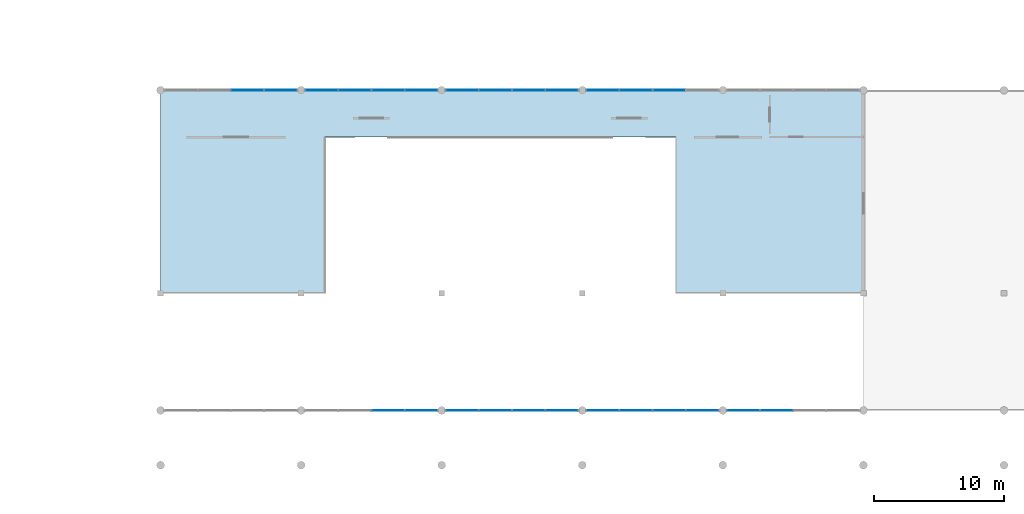
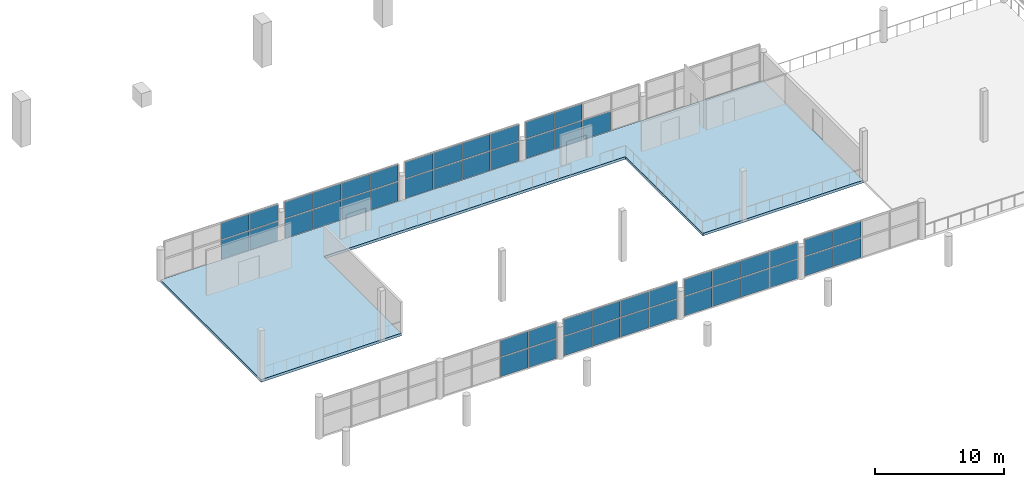
# One storey, part 40 of 74: 49 plates, 1 slab, 8 elements without a shape of their own.
"""IFC4 building model written with IfcOpenShell, lengths in metres."""

from ifc_helpers import new_model, si_unit, direction, frame, origin, place, context, subcontext, project, spatial, polyline, outline, extrude, material, layer, layer_set, type_object, element, aggregate, save


model = new_model("IFC4")

# Units and contexts
model_context = context("Model", 3, precision=1e-05, world=origin(), true_north=direction((0.0, 1.0)))
body_context = subcontext(model_context, "Body", "Model", "MODEL_VIEW")
ifc_project = project(units=[si_unit("LENGTHUNIT", "METRE"), si_unit("AREAUNIT", "SQUARE_METRE"), si_unit("VOLUMEUNIT", "CUBIC_METRE"), si_unit("PLANEANGLEUNIT", "RADIAN"), si_unit("MASSUNIT", "GRAM", prefix="KILO")], contexts=[model_context])

# Site, building, storey
site_placement = place(None, origin())
site = spatial("IfcSite", under=ifc_project, at=site_placement, CompositionType="ELEMENT")
building_placement = place(site_placement, origin())
building = spatial("IfcBuilding", under=site, at=building_placement, Name="Suirenkawa Promenade Aquatics Centre", CompositionType="ELEMENT")
storey_placement = place(building_placement, frame((0.0, 0.0, 4.800048828125)))
storey = spatial("IfcBuildingStorey", under=building, at=storey_placement, Name="L01", CompositionType="ELEMENT", Elevation=4.800048828125)

# Curtain wall, plates
ifc_material_1 = material(Name="Anodised aluminium 6063-T6", Category="aluminium")
curtain_wall_type_1 = type_object("IfcCurtainWallType", Name="CWAT-V3NL1-25", PredefinedType="NOTDEFINED", material=ifc_material_1)
curtain_wall_1_placement = place(storey_placement, origin())
curtain_wall_1 = element("IfcCurtainWall", 1, at=curtain_wall_1_placement, inside=storey, type_object=curtain_wall_type_1, Name="Curtain wall CWA-25 CW-055", PredefinedType="NOTDEFINED")
ifc_material_2 = material(Name="Low-E thermally broken double glazing", Category="glass")
ifc_layer_1 = layer(ifc_material_2, 0.0419921875, Name="Low-E thermally broken double glazing", Category="glass")
ifc_layer_set_1 = layer_set([ifc_layer_1], Name="Low-E thermally broken double glazing")
plate_type = type_object("IfcPlateType", Name="CWP-FOYER-42", PredefinedType="CURTAIN_PANEL", material=ifc_layer_set_1)
plate_1_placement = place(storey_placement, frame((84.60009765625, 28.800048828125, 0.0400390625), z_axis=(0.0, 0.0, 1.0), x_axis=(1.0, 0.0, 0.0)))
plate_1 = element("IfcPlate", 2, at=plate_1_placement, type_object=plate_type, Name="Glazed panel CP-04 CWP-01097", PredefinedType="CURTAIN_PANEL", context=body_context, shape_type="SweptSolid", body=[
    extrude(outline(polyline([(0.0400390625, 0.0), (2.510498046875, 0.0), (2.510498046875, 1.81982421875), (0.0400390625, 1.81982421875), (0.0400390625, 0.0)])), frame((0.0, 0.02099609375, 0.0), z_axis=(0.0, -1.0, 0.0), x_axis=(1.0, 0.0, 0.0)), (0.0, 0.0, 1.0), 0.0419921875),
])
plate_2_placement = place(storey_placement, frame((84.60009765625, 28.800048828125, 1.93994140625), z_axis=(0.0, 0.0, 1.0), x_axis=(1.0, 0.0, 0.0)))
plate_2 = element("IfcPlate", 3, at=plate_2_placement, type_object=plate_type, Name="Top glazed panel CP-04 CWP-01098", PredefinedType="CURTAIN_PANEL", context=body_context, shape_type="SweptSolid", body=[
    extrude(outline(polyline([(0.0400390625, 0.0), (2.510498046875, 0.0), (2.510498046875, 1.5400390625), (0.0400390625, 1.5400390625), (0.0400390625, 0.0)])), frame((0.0, 0.02099609375, 0.0), z_axis=(0.0, -1.0, 0.0), x_axis=(1.0, 0.0, 0.0)), (0.0, 0.0, 1.0), 0.0419921875),
])
plate_3_placement = place(storey_placement, frame((87.150390625, 28.800048828125, 0.0400390625), z_axis=(0.0, 0.0, 1.0), x_axis=(1.0, 0.0, 0.0)))
plate_3 = element("IfcPlate", 4, at=plate_3_placement, type_object=plate_type, Name="Glazed panel CP-04 CWP-01099", PredefinedType="CURTAIN_PANEL", context=body_context, shape_type="SweptSolid", body=[
    extrude(outline(polyline([(0.0400390625, 0.0), (2.510498046875, 0.0), (2.510498046875, 1.81982421875), (0.0400390625, 1.81982421875), (0.0400390625, 0.0)])), frame((0.0, 0.02099609375, 0.0), z_axis=(0.0, -1.0, 0.0), x_axis=(1.0, 0.0, 0.0)), (0.0, 0.0, 1.0), 0.0419921875),
])
plate_4_placement = place(storey_placement, frame((87.150390625, 28.800048828125, 1.93994140625), z_axis=(0.0, 0.0, 1.0), x_axis=(1.0, 0.0, 0.0)))
plate_4 = element("IfcPlate", 5, at=plate_4_placement, type_object=plate_type, Name="Top glazed panel CP-04 CWP-01100", PredefinedType="CURTAIN_PANEL", context=body_context, shape_type="SweptSolid", body=[
    extrude(outline(polyline([(0.0400390625, 0.0), (2.510498046875, 0.0), (2.510498046875, 1.5400390625), (0.0400390625, 1.5400390625), (0.0400390625, 0.0)])), frame((0.0, 0.02099609375, 0.0), z_axis=(0.0, -1.0, 0.0), x_axis=(1.0, 0.0, 0.0)), (0.0, 0.0, 1.0), 0.0419921875),
])
aggregate(curtain_wall_1, [plate_1, plate_2, plate_3, plate_4])

curtain_wall_type_2 = type_object("IfcCurtainWallType", Name="CWAT-V3SL1-24", PredefinedType="NOTDEFINED", material=ifc_material_1)
curtain_wall_2_placement = place(storey_placement, origin())
curtain_wall_2 = element("IfcCurtainWall", 6, at=curtain_wall_2_placement, inside=storey, type_object=curtain_wall_type_2, Name="Curtain wall CWA-24 CW-056", PredefinedType="NOTDEFINED")
plate_5_placement = place(storey_placement, frame((100.5009765625, 4.199951171875, 0.0400390625), z_axis=(0.0, 0.0, 1.0), x_axis=(-1.0, 0.0, 0.0)))
plate_5 = element("IfcPlate", 7, at=plate_5_placement, type_object=plate_type, Name="Glazed panel CP-04 CWP-01115", PredefinedType="CURTAIN_PANEL", context=body_context, shape_type="SweptSolid", body=[
    extrude(outline(polyline([(0.0400390625, 0.0), (2.510498046875, 0.0), (2.510498046875, 1.81982421875), (0.0400390625, 1.81982421875), (0.0400390625, 0.0)])), frame((0.0, 0.02099609375, 0.0), z_axis=(0.0, -1.0, 0.0), x_axis=(1.0, 0.0, 0.0)), (0.0, 0.0, 1.0), 0.0419921875),
])
plate_6_placement = place(storey_placement, frame((100.5009765625, 4.199951171875, 1.93994140625), z_axis=(0.0, 0.0, 1.0), x_axis=(-1.0, 0.0, 0.0)))
plate_6 = element("IfcPlate", 8, at=plate_6_placement, type_object=plate_type, Name="Top glazed panel CP-04 CWP-01116", PredefinedType="CURTAIN_PANEL", context=body_context, shape_type="SweptSolid", body=[
    extrude(outline(polyline([(0.0400390625, 0.0), (2.510498046875, 0.0), (2.510498046875, 1.5400390625), (0.0400390625, 1.5400390625), (0.0400390625, 0.0)])), frame((0.0, 0.02099609375, 0.0), z_axis=(0.0, -1.0, 0.0), x_axis=(1.0, 0.0, 0.0)), (0.0, 0.0, 1.0), 0.0419921875),
])
plate_7_placement = place(storey_placement, frame((97.950439453125, 4.199951171875, 0.0400390625), z_axis=(0.0, 0.0, 1.0), x_axis=(-1.0, 0.0, 0.0)))
plate_7 = element("IfcPlate", 9, at=plate_7_placement, type_object=plate_type, Name="Glazed panel CP-04 CWP-01117", PredefinedType="CURTAIN_PANEL", context=body_context, shape_type="SweptSolid", body=[
    extrude(outline(polyline([(0.0400390625, 0.0), (2.510498046875, 0.0), (2.510498046875, 1.81982421875), (0.0400390625, 1.81982421875), (0.0400390625, 0.0)])), frame((0.0, 0.02099609375, 0.0), z_axis=(0.0, -1.0, 0.0), x_axis=(1.0, 0.0, 0.0)), (0.0, 0.0, 1.0), 0.0419921875),
])
plate_8_placement = place(storey_placement, frame((97.950439453125, 4.199951171875, 1.93994140625), z_axis=(0.0, 0.0, 1.0), x_axis=(-1.0, 0.0, 0.0)))
plate_8 = element("IfcPlate", 10, at=plate_8_placement, type_object=plate_type, Name="Top glazed panel CP-04 CWP-01118", PredefinedType="CURTAIN_PANEL", context=body_context, shape_type="SweptSolid", body=[
    extrude(outline(polyline([(0.0400390625, 0.0), (2.510498046875, 0.0), (2.510498046875, 1.5400390625), (0.0400390625, 1.5400390625), (0.0400390625, 0.0)])), frame((0.0, 0.02099609375, 0.0), z_axis=(0.0, -1.0, 0.0), x_axis=(1.0, 0.0, 0.0)), (0.0, 0.0, 1.0), 0.0419921875),
])
aggregate(curtain_wall_2, [plate_5, plate_6, plate_7, plate_8])

curtain_wall_3_placement = place(storey_placement, origin())
curtain_wall_3 = element("IfcCurtainWall", 11, at=curtain_wall_3_placement, inside=storey, type_object=curtain_wall_type_1, Name="Curtain wall CWA-25 CW-057", PredefinedType="NOTDEFINED")
plate_9_placement = place(storey_placement, frame((90.299072265625, 28.800048828125, 0.0400390625), z_axis=(0.0, 0.0, 1.0), x_axis=(1.0, 0.0, 0.0)))
plate_9 = element("IfcPlate", 12, at=plate_9_placement, type_object=plate_type, Name="Glazed panel CP-04 CWP-01137", PredefinedType="CURTAIN_PANEL", context=body_context, shape_type="SweptSolid", body=[
    extrude(outline(polyline([(0.0400390625, 0.0), (2.510498046875, 0.0), (2.510498046875, 1.81982421875), (0.0400390625, 1.81982421875), (0.0400390625, 0.0)])), frame((0.0, 0.02099609375, 0.0), z_axis=(0.0, -1.0, 0.0), x_axis=(1.0, 0.0, 0.0)), (0.0, 0.0, 1.0), 0.0419921875),
])
plate_10_placement = place(storey_placement, frame((90.299072265625, 28.800048828125, 1.93994140625), z_axis=(0.0, 0.0, 1.0), x_axis=(1.0, 0.0, 0.0)))
plate_10 = element("IfcPlate", 13, at=plate_10_placement, type_object=plate_type, Name="Top glazed panel CP-04 CWP-01138", PredefinedType="CURTAIN_PANEL", context=body_context, shape_type="SweptSolid", body=[
    extrude(outline(polyline([(0.0400390625, 0.0), (2.510498046875, 0.0), (2.510498046875, 1.5400390625), (0.0400390625, 1.5400390625), (0.0400390625, 0.0)])), frame((0.0, 0.02099609375, 0.0), z_axis=(0.0, -1.0, 0.0), x_axis=(1.0, 0.0, 0.0)), (0.0, 0.0, 1.0), 0.0419921875),
])
plate_11_placement = place(storey_placement, frame((92.849609375, 28.800048828125, 0.0400390625), z_axis=(0.0, 0.0, 1.0), x_axis=(1.0, 0.0, 0.0)))
plate_11 = element("IfcPlate", 14, at=plate_11_placement, type_object=plate_type, Name="Glazed panel CP-04 CWP-01139", PredefinedType="CURTAIN_PANEL", context=body_context, shape_type="SweptSolid", body=[
    extrude(outline(polyline([(0.0400390625, 0.0), (2.510498046875, 0.0), (2.510498046875, 1.81982421875), (0.0400390625, 1.81982421875), (0.0400390625, 0.0)])), frame((0.0, 0.02099609375, 0.0), z_axis=(0.0, -1.0, 0.0), x_axis=(1.0, 0.0, 0.0)), (0.0, 0.0, 1.0), 0.0419921875),
])
plate_12_placement = place(storey_placement, frame((92.849609375, 28.800048828125, 1.93994140625), z_axis=(0.0, 0.0, 1.0), x_axis=(1.0, 0.0, 0.0)))
plate_12 = element("IfcPlate", 15, at=plate_12_placement, type_object=plate_type, Name="Top glazed panel CP-04 CWP-01140", PredefinedType="CURTAIN_PANEL", context=body_context, shape_type="SweptSolid", body=[
    extrude(outline(polyline([(0.0400390625, 0.0), (2.510498046875, 0.0), (2.510498046875, 1.5400390625), (0.0400390625, 1.5400390625), (0.0400390625, 0.0)])), frame((0.0, 0.02099609375, 0.0), z_axis=(0.0, -1.0, 0.0), x_axis=(1.0, 0.0, 0.0)), (0.0, 0.0, 1.0), 0.0419921875),
])
plate_13_placement = place(storey_placement, frame((95.39990234375, 28.800048828125, 0.0400390625), z_axis=(0.0, 0.0, 1.0), x_axis=(1.0, 0.0, 0.0)))
plate_13 = element("IfcPlate", 16, at=plate_13_placement, type_object=plate_type, Name="Glazed panel CP-04 CWP-01141", PredefinedType="CURTAIN_PANEL", context=body_context, shape_type="SweptSolid", body=[
    extrude(outline(polyline([(0.0400390625, 0.0), (2.510498046875, 0.0), (2.510498046875, 1.81982421875), (0.0400390625, 1.81982421875), (0.0400390625, 0.0)])), frame((0.0, 0.02099609375, 0.0), z_axis=(0.0, -1.0, 0.0), x_axis=(1.0, 0.0, 0.0)), (0.0, 0.0, 1.0), 0.0419921875),
])
plate_14_placement = place(storey_placement, frame((95.39990234375, 28.800048828125, 1.93994140625), z_axis=(0.0, 0.0, 1.0), x_axis=(1.0, 0.0, 0.0)))
plate_14 = element("IfcPlate", 17, at=plate_14_placement, type_object=plate_type, Name="Top glazed panel CP-04 CWP-01142", PredefinedType="CURTAIN_PANEL", context=body_context, shape_type="SweptSolid", body=[
    extrude(outline(polyline([(0.0400390625, 0.0), (2.510498046875, 0.0), (2.510498046875, 1.5400390625), (0.0400390625, 1.5400390625), (0.0400390625, 0.0)])), frame((0.0, 0.02099609375, 0.0), z_axis=(0.0, -1.0, 0.0), x_axis=(1.0, 0.0, 0.0)), (0.0, 0.0, 1.0), 0.0419921875),
])
plate_15_placement = place(storey_placement, frame((97.950439453125, 28.800048828125, 0.0400390625), z_axis=(0.0, 0.0, 1.0), x_axis=(1.0, 0.0, 0.0)))
plate_15 = element("IfcPlate", 18, at=plate_15_placement, type_object=plate_type, Name="Glazed panel CP-04 CWP-01143", PredefinedType="CURTAIN_PANEL", context=body_context, shape_type="SweptSolid", body=[
    extrude(outline(polyline([(0.0400390625, 0.0), (2.510498046875, 0.0), (2.510498046875, 1.81982421875), (0.0400390625, 1.81982421875), (0.0400390625, 0.0)])), frame((0.0, 0.02099609375, 0.0), z_axis=(0.0, -1.0, 0.0), x_axis=(1.0, 0.0, 0.0)), (0.0, 0.0, 1.0), 0.0419921875),
])
plate_16_placement = place(storey_placement, frame((97.950439453125, 28.800048828125, 1.93994140625), z_axis=(0.0, 0.0, 1.0), x_axis=(1.0, 0.0, 0.0)))
plate_16 = element("IfcPlate", 19, at=plate_16_placement, type_object=plate_type, Name="Top glazed panel CP-04 CWP-01144", PredefinedType="CURTAIN_PANEL", context=body_context, shape_type="SweptSolid", body=[
    extrude(outline(polyline([(0.0400390625, 0.0), (2.510498046875, 0.0), (2.510498046875, 1.5400390625), (0.0400390625, 1.5400390625), (0.0400390625, 0.0)])), frame((0.0, 0.02099609375, 0.0), z_axis=(0.0, -1.0, 0.0), x_axis=(1.0, 0.0, 0.0)), (0.0, 0.0, 1.0), 0.0419921875),
])
aggregate(curtain_wall_3, [plate_9, plate_10, plate_11, plate_12, plate_13, plate_14, plate_15, plate_16])

curtain_wall_4_placement = place(storey_placement, origin())
curtain_wall_4 = element("IfcCurtainWall", 20, at=curtain_wall_4_placement, inside=storey, type_object=curtain_wall_type_2, Name="Curtain wall CWA-24 CW-059", PredefinedType="NOTDEFINED")
plate_17_placement = place(storey_placement, frame((111.301025390625, 4.199951171875, 0.0400390625), z_axis=(0.0, 0.0, 1.0), x_axis=(-1.0, 0.0, 0.0)))
plate_17 = element("IfcPlate", 21, at=plate_17_placement, type_object=plate_type, Name="Glazed panel CP-04 CWP-01181", PredefinedType="CURTAIN_PANEL", context=body_context, shape_type="SweptSolid", body=[
    extrude(outline(polyline([(0.0400390625, 0.0), (2.510498046875, 0.0), (2.510498046875, 1.81982421875), (0.0400390625, 1.81982421875), (0.0400390625, 0.0)])), frame((0.0, 0.02099609375, 0.0), z_axis=(0.0, -1.0, 0.0), x_axis=(1.0, 0.0, 0.0)), (0.0, 0.0, 1.0), 0.0419921875),
])
plate_18_placement = place(storey_placement, frame((111.301025390625, 4.199951171875, 1.93994140625), z_axis=(0.0, 0.0, 1.0), x_axis=(-1.0, 0.0, 0.0)))
plate_18 = element("IfcPlate", 22, at=plate_18_placement, type_object=plate_type, Name="Top glazed panel CP-04 CWP-01182", PredefinedType="CURTAIN_PANEL", context=body_context, shape_type="SweptSolid", body=[
    extrude(outline(polyline([(0.0400390625, 0.0), (2.510498046875, 0.0), (2.510498046875, 1.5400390625), (0.0400390625, 1.5400390625), (0.0400390625, 0.0)])), frame((0.0, 0.02099609375, 0.0), z_axis=(0.0, -1.0, 0.0), x_axis=(1.0, 0.0, 0.0)), (0.0, 0.0, 1.0), 0.0419921875),
])
plate_19_placement = place(storey_placement, frame((108.75048828125, 4.199951171875, 0.0400390625), z_axis=(0.0, 0.0, 1.0), x_axis=(-1.0, 0.0, 0.0)))
plate_19 = element("IfcPlate", 23, at=plate_19_placement, type_object=plate_type, Name="Glazed panel CP-04 CWP-01183", PredefinedType="CURTAIN_PANEL", context=body_context, shape_type="SweptSolid", body=[
    extrude(outline(polyline([(0.0400390625, 0.0), (2.510498046875, 0.0), (2.510498046875, 1.81982421875), (0.0400390625, 1.81982421875), (0.0400390625, 0.0)])), frame((0.0, 0.02099609375, 0.0), z_axis=(0.0, -1.0, 0.0), x_axis=(1.0, 0.0, 0.0)), (0.0, 0.0, 1.0), 0.0419921875),
])
plate_20_placement = place(storey_placement, frame((108.75048828125, 4.199951171875, 1.93994140625), z_axis=(0.0, 0.0, 1.0), x_axis=(-1.0, 0.0, 0.0)))
plate_20 = element("IfcPlate", 24, at=plate_20_placement, type_object=plate_type, Name="Top glazed panel CP-04 CWP-01184", PredefinedType="CURTAIN_PANEL", context=body_context, shape_type="SweptSolid", body=[
    extrude(outline(polyline([(0.0400390625, 0.0), (2.510498046875, 0.0), (2.510498046875, 1.5400390625), (0.0400390625, 1.5400390625), (0.0400390625, 0.0)])), frame((0.0, 0.02099609375, 0.0), z_axis=(0.0, -1.0, 0.0), x_axis=(1.0, 0.0, 0.0)), (0.0, 0.0, 1.0), 0.0419921875),
])
plate_21_placement = place(storey_placement, frame((106.199951171875, 4.199951171875, 0.0400390625), z_axis=(0.0, 0.0, 1.0), x_axis=(-1.0, 0.0, 0.0)))
plate_21 = element("IfcPlate", 25, at=plate_21_placement, type_object=plate_type, Name="Glazed panel CP-04 CWP-01185", PredefinedType="CURTAIN_PANEL", context=body_context, shape_type="SweptSolid", body=[
    extrude(outline(polyline([(0.0400390625, 0.0), (2.510498046875, 0.0), (2.510498046875, 1.81982421875), (0.0400390625, 1.81982421875), (0.0400390625, 0.0)])), frame((0.0, 0.02099609375, 0.0), z_axis=(0.0, -1.0, 0.0), x_axis=(1.0, 0.0, 0.0)), (0.0, 0.0, 1.0), 0.0419921875),
])
plate_22_placement = place(storey_placement, frame((106.199951171875, 4.199951171875, 1.93994140625), z_axis=(0.0, 0.0, 1.0), x_axis=(-1.0, 0.0, 0.0)))
plate_22 = element("IfcPlate", 26, at=plate_22_placement, type_object=plate_type, Name="Top glazed panel CP-04 CWP-01186", PredefinedType="CURTAIN_PANEL", context=body_context, shape_type="SweptSolid", body=[
    extrude(outline(polyline([(0.0400390625, 0.0), (2.510498046875, 0.0), (2.510498046875, 1.5400390625), (0.0400390625, 1.5400390625), (0.0400390625, 0.0)])), frame((0.0, 0.02099609375, 0.0), z_axis=(0.0, -1.0, 0.0), x_axis=(1.0, 0.0, 0.0)), (0.0, 0.0, 1.0), 0.0419921875),
])
plate_23_placement = place(storey_placement, frame((103.6494140625, 4.199951171875, 0.0400390625), z_axis=(0.0, 0.0, 1.0), x_axis=(-1.0, 0.0, 0.0)))
plate_23 = element("IfcPlate", 27, at=plate_23_placement, type_object=plate_type, Name="Glazed panel CP-04 CWP-01187", PredefinedType="CURTAIN_PANEL", context=body_context, shape_type="SweptSolid", body=[
    extrude(outline(polyline([(0.0400390625, 0.0), (2.510498046875, 0.0), (2.510498046875, 1.81982421875), (0.0400390625, 1.81982421875), (0.0400390625, 0.0)])), frame((0.0, 0.02099609375, 0.0), z_axis=(0.0, -1.0, 0.0), x_axis=(1.0, 0.0, 0.0)), (0.0, 0.0, 1.0), 0.0419921875),
])
plate_24_placement = place(storey_placement, frame((103.6494140625, 4.199951171875, 1.93994140625), z_axis=(0.0, 0.0, 1.0), x_axis=(-1.0, 0.0, 0.0)))
plate_24 = element("IfcPlate", 28, at=plate_24_placement, type_object=plate_type, Name="Top glazed panel CP-04 CWP-01188", PredefinedType="CURTAIN_PANEL", context=body_context, shape_type="SweptSolid", body=[
    extrude(outline(polyline([(0.0400390625, 0.0), (2.510498046875, 0.0), (2.510498046875, 1.5400390625), (0.0400390625, 1.5400390625), (0.0400390625, 0.0)])), frame((0.0, 0.02099609375, 0.0), z_axis=(0.0, -1.0, 0.0), x_axis=(1.0, 0.0, 0.0)), (0.0, 0.0, 1.0), 0.0419921875),
])
aggregate(curtain_wall_4, [plate_17, plate_18, plate_19, plate_20, plate_21, plate_22, plate_23, plate_24])

curtain_wall_5_placement = place(storey_placement, origin())
curtain_wall_5 = element("IfcCurtainWall", 29, at=curtain_wall_5_placement, inside=storey, type_object=curtain_wall_type_1, Name="Curtain wall CWA-25 CW-060", PredefinedType="NOTDEFINED")
plate_25_placement = place(storey_placement, frame((101.09912109375, 28.800048828125, 0.0400390625), z_axis=(0.0, 0.0, 1.0), x_axis=(1.0, 0.0, 0.0)))
plate_25 = element("IfcPlate", 30, at=plate_25_placement, type_object=plate_type, Name="Glazed panel CP-04 CWP-01203", PredefinedType="CURTAIN_PANEL", context=body_context, shape_type="SweptSolid", body=[
    extrude(outline(polyline([(0.0400390625, 0.0), (2.510498046875, 0.0), (2.510498046875, 1.81982421875), (0.0400390625, 1.81982421875), (0.0400390625, 0.0)])), frame((0.0, 0.02099609375, 0.0), z_axis=(0.0, -1.0, 0.0), x_axis=(1.0, 0.0, 0.0)), (0.0, 0.0, 1.0), 0.0419921875),
])
plate_26_placement = place(storey_placement, frame((101.09912109375, 28.800048828125, 1.93994140625), z_axis=(0.0, 0.0, 1.0), x_axis=(1.0, 0.0, 0.0)))
plate_26 = element("IfcPlate", 31, at=plate_26_placement, type_object=plate_type, Name="Top glazed panel CP-04 CWP-01204", PredefinedType="CURTAIN_PANEL", context=body_context, shape_type="SweptSolid", body=[
    extrude(outline(polyline([(0.0400390625, 0.0), (2.510498046875, 0.0), (2.510498046875, 1.5400390625), (0.0400390625, 1.5400390625), (0.0400390625, 0.0)])), frame((0.0, 0.02099609375, 0.0), z_axis=(0.0, -1.0, 0.0), x_axis=(1.0, 0.0, 0.0)), (0.0, 0.0, 1.0), 0.0419921875),
])
plate_27_placement = place(storey_placement, frame((103.6494140625, 28.800048828125, 0.0400390625), z_axis=(0.0, 0.0, 1.0), x_axis=(1.0, 0.0, 0.0)))
plate_27 = element("IfcPlate", 32, at=plate_27_placement, type_object=plate_type, Name="Glazed panel CP-04 CWP-01205", PredefinedType="CURTAIN_PANEL", context=body_context, shape_type="SweptSolid", body=[
    extrude(outline(polyline([(0.0400390625, 0.0), (2.510498046875, 0.0), (2.510498046875, 1.81982421875), (0.0400390625, 1.81982421875), (0.0400390625, 0.0)])), frame((0.0, 0.02099609375, 0.0), z_axis=(0.0, -1.0, 0.0), x_axis=(1.0, 0.0, 0.0)), (0.0, 0.0, 1.0), 0.0419921875),
])
plate_28_placement = place(storey_placement, frame((103.6494140625, 28.800048828125, 1.93994140625), z_axis=(0.0, 0.0, 1.0), x_axis=(1.0, 0.0, 0.0)))
plate_28 = element("IfcPlate", 33, at=plate_28_placement, type_object=plate_type, Name="Top glazed panel CP-04 CWP-01206", PredefinedType="CURTAIN_PANEL", context=body_context, shape_type="SweptSolid", body=[
    extrude(outline(polyline([(0.0400390625, 0.0), (2.510498046875, 0.0), (2.510498046875, 1.5400390625), (0.0400390625, 1.5400390625), (0.0400390625, 0.0)])), frame((0.0, 0.02099609375, 0.0), z_axis=(0.0, -1.0, 0.0), x_axis=(1.0, 0.0, 0.0)), (0.0, 0.0, 1.0), 0.0419921875),
])
plate_29_placement = place(storey_placement, frame((106.199951171875, 28.800048828125, 0.0400390625), z_axis=(0.0, 0.0, 1.0), x_axis=(1.0, 0.0, 0.0)))
plate_29 = element("IfcPlate", 34, at=plate_29_placement, type_object=plate_type, Name="Glazed panel CP-04 CWP-01207", PredefinedType="CURTAIN_PANEL", context=body_context, shape_type="SweptSolid", body=[
    extrude(outline(polyline([(0.0400390625, 0.0), (2.510498046875, 0.0), (2.510498046875, 1.81982421875), (0.0400390625, 1.81982421875), (0.0400390625, 0.0)])), frame((0.0, 0.02099609375, 0.0), z_axis=(0.0, -1.0, 0.0), x_axis=(1.0, 0.0, 0.0)), (0.0, 0.0, 1.0), 0.0419921875),
])
plate_30_placement = place(storey_placement, frame((106.199951171875, 28.800048828125, 1.93994140625), z_axis=(0.0, 0.0, 1.0), x_axis=(1.0, 0.0, 0.0)))
plate_30 = element("IfcPlate", 35, at=plate_30_placement, type_object=plate_type, Name="Top glazed panel CP-04 CWP-01208", PredefinedType="CURTAIN_PANEL", context=body_context, shape_type="SweptSolid", body=[
    extrude(outline(polyline([(0.0400390625, 0.0), (2.510498046875, 0.0), (2.510498046875, 1.5400390625), (0.0400390625, 1.5400390625), (0.0400390625, 0.0)])), frame((0.0, 0.02099609375, 0.0), z_axis=(0.0, -1.0, 0.0), x_axis=(1.0, 0.0, 0.0)), (0.0, 0.0, 1.0), 0.0419921875),
])
plate_31_placement = place(storey_placement, frame((108.75048828125, 28.800048828125, 0.0400390625), z_axis=(0.0, 0.0, 1.0), x_axis=(1.0, 0.0, 0.0)))
plate_31 = element("IfcPlate", 36, at=plate_31_placement, type_object=plate_type, Name="Glazed panel CP-04 CWP-01209", PredefinedType="CURTAIN_PANEL", context=body_context, shape_type="SweptSolid", body=[
    extrude(outline(polyline([(0.0400390625, 0.0), (2.510498046875, 0.0), (2.510498046875, 1.81982421875), (0.0400390625, 1.81982421875), (0.0400390625, 0.0)])), frame((0.0, 0.02099609375, 0.0), z_axis=(0.0, -1.0, 0.0), x_axis=(1.0, 0.0, 0.0)), (0.0, 0.0, 1.0), 0.0419921875),
])
plate_32_placement = place(storey_placement, frame((108.75048828125, 28.800048828125, 1.93994140625), z_axis=(0.0, 0.0, 1.0), x_axis=(1.0, 0.0, 0.0)))
plate_32 = element("IfcPlate", 37, at=plate_32_placement, type_object=plate_type, Name="Top glazed panel CP-04 CWP-01210", PredefinedType="CURTAIN_PANEL", context=body_context, shape_type="SweptSolid", body=[
    extrude(outline(polyline([(0.0400390625, 0.0), (2.510498046875, 0.0), (2.510498046875, 1.5400390625), (0.0400390625, 1.5400390625), (0.0400390625, 0.0)])), frame((0.0, 0.02099609375, 0.0), z_axis=(0.0, -1.0, 0.0), x_axis=(1.0, 0.0, 0.0)), (0.0, 0.0, 1.0), 0.0419921875),
])
aggregate(curtain_wall_5, [plate_25, plate_26, plate_27, plate_28, plate_29, plate_30, plate_31, plate_32])

curtain_wall_6_placement = place(storey_placement, origin())
curtain_wall_6 = element("IfcCurtainWall", 38, at=curtain_wall_6_placement, inside=storey, type_object=curtain_wall_type_2, Name="Curtain wall CWA-24 CW-063", PredefinedType="NOTDEFINED")
plate_33_placement = place(storey_placement, frame((122.10107421875, 4.199951171875, 0.0400390625), z_axis=(0.0, 0.0, 1.0), x_axis=(-1.0, 0.0, 0.0)))
plate_33 = element("IfcPlate", 39, at=plate_33_placement, type_object=plate_type, Name="Glazed panel CP-04 CWP-01269", PredefinedType="CURTAIN_PANEL", context=body_context, shape_type="SweptSolid", body=[
    extrude(outline(polyline([(0.0400390625, 0.0), (2.510498046875, 0.0), (2.510498046875, 1.81982421875), (0.0400390625, 1.81982421875), (0.0400390625, 0.0)])), frame((0.0, 0.02099609375, 0.0), z_axis=(0.0, -1.0, 0.0), x_axis=(1.0, 0.0, 0.0)), (0.0, 0.0, 1.0), 0.0419921875),
])
plate_34_placement = place(storey_placement, frame((122.10107421875, 4.199951171875, 1.93994140625), z_axis=(0.0, 0.0, 1.0), x_axis=(-1.0, 0.0, 0.0)))
plate_34 = element("IfcPlate", 40, at=plate_34_placement, type_object=plate_type, Name="Top glazed panel CP-04 CWP-01270", PredefinedType="CURTAIN_PANEL", context=body_context, shape_type="SweptSolid", body=[
    extrude(outline(polyline([(0.0400390625, 0.0), (2.510498046875, 0.0), (2.510498046875, 1.5400390625), (0.0400390625, 1.5400390625), (0.0400390625, 0.0)])), frame((0.0, 0.02099609375, 0.0), z_axis=(0.0, -1.0, 0.0), x_axis=(1.0, 0.0, 0.0)), (0.0, 0.0, 1.0), 0.0419921875),
])
plate_35_placement = place(storey_placement, frame((119.550537109375, 4.199951171875, 0.0400390625), z_axis=(0.0, 0.0, 1.0), x_axis=(-1.0, 0.0, 0.0)))
plate_35 = element("IfcPlate", 41, at=plate_35_placement, type_object=plate_type, Name="Glazed panel CP-04 CWP-01271", PredefinedType="CURTAIN_PANEL", context=body_context, shape_type="SweptSolid", body=[
    extrude(outline(polyline([(0.0400390625, 0.0), (2.510498046875, 0.0), (2.510498046875, 1.81982421875), (0.0400390625, 1.81982421875), (0.0400390625, 0.0)])), frame((0.0, 0.02099609375, 0.0), z_axis=(0.0, -1.0, 0.0), x_axis=(1.0, 0.0, 0.0)), (0.0, 0.0, 1.0), 0.0419921875),
])
plate_36_placement = place(storey_placement, frame((119.550537109375, 4.199951171875, 1.93994140625), z_axis=(0.0, 0.0, 1.0), x_axis=(-1.0, 0.0, 0.0)))
plate_36 = element("IfcPlate", 42, at=plate_36_placement, type_object=plate_type, Name="Top glazed panel CP-04 CWP-01272", PredefinedType="CURTAIN_PANEL", context=body_context, shape_type="SweptSolid", body=[
    extrude(outline(polyline([(0.0400390625, 0.0), (2.510498046875, 0.0), (2.510498046875, 1.5400390625), (0.0400390625, 1.5400390625), (0.0400390625, 0.0)])), frame((0.0, 0.02099609375, 0.0), z_axis=(0.0, -1.0, 0.0), x_axis=(1.0, 0.0, 0.0)), (0.0, 0.0, 1.0), 0.0419921875),
])
plate_37_placement = place(storey_placement, frame((117.0, 4.199951171875, 0.0400390625), z_axis=(0.0, 0.0, 1.0), x_axis=(-1.0, 0.0, 0.0)))
plate_37 = element("IfcPlate", 43, at=plate_37_placement, type_object=plate_type, Name="Glazed panel CP-04 CWP-01273", PredefinedType="CURTAIN_PANEL", context=body_context, shape_type="SweptSolid", body=[
    extrude(outline(polyline([(0.0400390625, 0.0), (2.510498046875, 0.0), (2.510498046875, 1.81982421875), (0.0400390625, 1.81982421875), (0.0400390625, 0.0)])), frame((0.0, 0.02099609375, 0.0), z_axis=(0.0, -1.0, 0.0), x_axis=(1.0, 0.0, 0.0)), (0.0, 0.0, 1.0), 0.0419921875),
])
plate_38_placement = place(storey_placement, frame((117.0, 4.199951171875, 1.93994140625), z_axis=(0.0, 0.0, 1.0), x_axis=(-1.0, 0.0, 0.0)))
plate_38 = element("IfcPlate", 44, at=plate_38_placement, type_object=plate_type, Name="Top glazed panel CP-04 CWP-01274", PredefinedType="CURTAIN_PANEL", context=body_context, shape_type="SweptSolid", body=[
    extrude(outline(polyline([(0.0400390625, 0.0), (2.510498046875, 0.0), (2.510498046875, 1.5400390625), (0.0400390625, 1.5400390625), (0.0400390625, 0.0)])), frame((0.0, 0.02099609375, 0.0), z_axis=(0.0, -1.0, 0.0), x_axis=(1.0, 0.0, 0.0)), (0.0, 0.0, 1.0), 0.0419921875),
])
plate_39_placement = place(storey_placement, frame((114.449462890625, 4.199951171875, 0.0400390625), z_axis=(0.0, 0.0, 1.0), x_axis=(-1.0, 0.0, 0.0)))
plate_39 = element("IfcPlate", 45, at=plate_39_placement, type_object=plate_type, Name="Glazed panel CP-04 CWP-01275", PredefinedType="CURTAIN_PANEL", context=body_context, shape_type="SweptSolid", body=[
    extrude(outline(polyline([(0.0400390625, 0.0), (2.510498046875, 0.0), (2.510498046875, 1.81982421875), (0.0400390625, 1.81982421875), (0.0400390625, 0.0)])), frame((0.0, 0.02099609375, 0.0), z_axis=(0.0, -1.0, 0.0), x_axis=(1.0, 0.0, 0.0)), (0.0, 0.0, 1.0), 0.0419921875),
])
plate_40_placement = place(storey_placement, frame((114.449462890625, 4.199951171875, 1.93994140625), z_axis=(0.0, 0.0, 1.0), x_axis=(-1.0, 0.0, 0.0)))
plate_40 = element("IfcPlate", 46, at=plate_40_placement, type_object=plate_type, Name="Top glazed panel CP-04 CWP-01276", PredefinedType="CURTAIN_PANEL", context=body_context, shape_type="SweptSolid", body=[
    extrude(outline(polyline([(0.0400390625, 0.0), (2.510498046875, 0.0), (2.510498046875, 1.5400390625), (0.0400390625, 1.5400390625), (0.0400390625, 0.0)])), frame((0.0, 0.02099609375, 0.0), z_axis=(0.0, -1.0, 0.0), x_axis=(1.0, 0.0, 0.0)), (0.0, 0.0, 1.0), 0.0419921875),
])
aggregate(curtain_wall_6, [plate_33, plate_34, plate_35, plate_36, plate_37, plate_38, plate_39, plate_40])

curtain_wall_7_placement = place(storey_placement, origin())
curtain_wall_7 = element("IfcCurtainWall", 47, at=curtain_wall_7_placement, inside=storey, type_object=curtain_wall_type_1, Name="Curtain wall CWA-25 CW-064", PredefinedType="NOTDEFINED")
plate_41_placement = place(storey_placement, frame((111.89892578125, 28.800048828125, 0.0400390625), z_axis=(0.0, 0.0, 1.0), x_axis=(1.0, 0.0, 0.0)))
plate_41 = element("IfcPlate", 48, at=plate_41_placement, type_object=plate_type, Name="Glazed panel CP-04 CWP-01291", PredefinedType="CURTAIN_PANEL", context=body_context, shape_type="SweptSolid", body=[
    extrude(outline(polyline([(0.0400390625, 0.0), (2.510498046875, 0.0), (2.510498046875, 1.81982421875), (0.0400390625, 1.81982421875), (0.0400390625, 0.0)])), frame((0.0, 0.02099609375, 0.0), z_axis=(0.0, -1.0, 0.0), x_axis=(1.0, 0.0, 0.0)), (0.0, 0.0, 1.0), 0.0419921875),
])
plate_42_placement = place(storey_placement, frame((111.89892578125, 28.800048828125, 1.93994140625), z_axis=(0.0, 0.0, 1.0), x_axis=(1.0, 0.0, 0.0)))
plate_42 = element("IfcPlate", 49, at=plate_42_placement, type_object=plate_type, Name="Top glazed panel CP-04 CWP-01292", PredefinedType="CURTAIN_PANEL", context=body_context, shape_type="SweptSolid", body=[
    extrude(outline(polyline([(0.0400390625, 0.0), (2.510498046875, 0.0), (2.510498046875, 1.5400390625), (0.0400390625, 1.5400390625), (0.0400390625, 0.0)])), frame((0.0, 0.02099609375, 0.0), z_axis=(0.0, -1.0, 0.0), x_axis=(1.0, 0.0, 0.0)), (0.0, 0.0, 1.0), 0.0419921875),
])
plate_43_placement = place(storey_placement, frame((114.449462890625, 28.800048828125, 0.0400390625), z_axis=(0.0, 0.0, 1.0), x_axis=(1.0, 0.0, 0.0)))
plate_43 = element("IfcPlate", 50, at=plate_43_placement, type_object=plate_type, Name="Glazed panel CP-04 CWP-01293", PredefinedType="CURTAIN_PANEL", context=body_context, shape_type="SweptSolid", body=[
    extrude(outline(polyline([(0.0400390625, 0.0), (2.510498046875, 0.0), (2.510498046875, 1.81982421875), (0.0400390625, 1.81982421875), (0.0400390625, 0.0)])), frame((0.0, 0.02099609375, 0.0), z_axis=(0.0, -1.0, 0.0), x_axis=(1.0, 0.0, 0.0)), (0.0, 0.0, 1.0), 0.0419921875),
])
plate_44_placement = place(storey_placement, frame((114.449462890625, 28.800048828125, 1.93994140625), z_axis=(0.0, 0.0, 1.0), x_axis=(1.0, 0.0, 0.0)))
plate_44 = element("IfcPlate", 51, at=plate_44_placement, type_object=plate_type, Name="Top glazed panel CP-04 CWP-01294", PredefinedType="CURTAIN_PANEL", context=body_context, shape_type="SweptSolid", body=[
    extrude(outline(polyline([(0.0400390625, 0.0), (2.510498046875, 0.0), (2.510498046875, 1.5400390625), (0.0400390625, 1.5400390625), (0.0400390625, 0.0)])), frame((0.0, 0.02099609375, 0.0), z_axis=(0.0, -1.0, 0.0), x_axis=(1.0, 0.0, 0.0)), (0.0, 0.0, 1.0), 0.0419921875),
])
plate_45_placement = place(storey_placement, frame((117.0, 28.800048828125, 0.0400390625), z_axis=(0.0, 0.0, 1.0), x_axis=(1.0, 0.0, 0.0)))
plate_45 = element("IfcPlate", 52, at=plate_45_placement, type_object=plate_type, Name="Glazed panel CP-04 CWP-01295", PredefinedType="CURTAIN_PANEL", context=body_context, shape_type="SweptSolid", body=[
    extrude(outline(polyline([(0.0400390625, 0.0), (2.510498046875, 0.0), (2.510498046875, 1.81982421875), (0.0400390625, 1.81982421875), (0.0400390625, 0.0)])), frame((0.0, 0.02099609375, 0.0), z_axis=(0.0, -1.0, 0.0), x_axis=(1.0, 0.0, 0.0)), (0.0, 0.0, 1.0), 0.0419921875),
])
aggregate(curtain_wall_7, [plate_41, plate_42, plate_43, plate_44, plate_45])

curtain_wall_8_placement = place(storey_placement, origin())
curtain_wall_8 = element("IfcCurtainWall", 53, at=curtain_wall_8_placement, inside=storey, type_object=curtain_wall_type_2, Name="Curtain wall CWA-24 CW-065", PredefinedType="NOTDEFINED")
plate_46_placement = place(storey_placement, frame((127.800048828125, 4.199951171875, 0.0400390625), z_axis=(0.0, 0.0, 1.0), x_axis=(-1.0, 0.0, 0.0)))
plate_46 = element("IfcPlate", 54, at=plate_46_placement, type_object=plate_type, Name="Glazed panel CP-04 CWP-01317", PredefinedType="CURTAIN_PANEL", context=body_context, shape_type="SweptSolid", body=[
    extrude(outline(polyline([(0.0400390625, 0.0), (2.510498046875, 0.0), (2.510498046875, 1.81982421875), (0.0400390625, 1.81982421875), (0.0400390625, 0.0)])), frame((0.0, 0.02099609375, 0.0), z_axis=(0.0, -1.0, 0.0), x_axis=(1.0, 0.0, 0.0)), (0.0, 0.0, 1.0), 0.0419921875),
])
plate_47_placement = place(storey_placement, frame((127.800048828125, 4.199951171875, 1.93994140625), z_axis=(0.0, 0.0, 1.0), x_axis=(-1.0, 0.0, 0.0)))
plate_47 = element("IfcPlate", 55, at=plate_47_placement, type_object=plate_type, Name="Top glazed panel CP-04 CWP-01318", PredefinedType="CURTAIN_PANEL", context=body_context, shape_type="SweptSolid", body=[
    extrude(outline(polyline([(0.0400390625, 0.0), (2.510498046875, 0.0), (2.510498046875, 1.5400390625), (0.0400390625, 1.5400390625), (0.0400390625, 0.0)])), frame((0.0, 0.02099609375, 0.0), z_axis=(0.0, -1.0, 0.0), x_axis=(1.0, 0.0, 0.0)), (0.0, 0.0, 1.0), 0.0419921875),
])
plate_48_placement = place(storey_placement, frame((125.24951171875, 4.199951171875, 0.0400390625), z_axis=(0.0, 0.0, 1.0), x_axis=(-1.0, 0.0, 0.0)))
plate_48 = element("IfcPlate", 56, at=plate_48_placement, type_object=plate_type, Name="Glazed panel CP-04 CWP-01319", PredefinedType="CURTAIN_PANEL", context=body_context, shape_type="SweptSolid", body=[
    extrude(outline(polyline([(0.0400390625, 0.0), (2.510498046875, 0.0), (2.510498046875, 1.81982421875), (0.0400390625, 1.81982421875), (0.0400390625, 0.0)])), frame((0.0, 0.02099609375, 0.0), z_axis=(0.0, -1.0, 0.0), x_axis=(1.0, 0.0, 0.0)), (0.0, 0.0, 1.0), 0.0419921875),
])
plate_49_placement = place(storey_placement, frame((125.24951171875, 4.199951171875, 1.93994140625), z_axis=(0.0, 0.0, 1.0), x_axis=(-1.0, 0.0, 0.0)))
plate_49 = element("IfcPlate", 57, at=plate_49_placement, type_object=plate_type, Name="Top glazed panel CP-04 CWP-01320", PredefinedType="CURTAIN_PANEL", context=body_context, shape_type="SweptSolid", body=[
    extrude(outline(polyline([(0.0400390625, 0.0), (2.510498046875, 0.0), (2.510498046875, 1.5400390625), (0.0400390625, 1.5400390625), (0.0400390625, 0.0)])), frame((0.0, 0.02099609375, 0.0), z_axis=(0.0, -1.0, 0.0), x_axis=(1.0, 0.0, 0.0)), (0.0, 0.0, 1.0), 0.0419921875),
])
aggregate(curtain_wall_8, [plate_46, plate_47, plate_48, plate_49])

# Slab
ifc_material_3 = material(Name="Concrete M35", Category="concrete")
ifc_layer_2 = layer(ifc_material_3, 0.25, Name="Concrete M35", Category="concrete")
ifc_layer_set_2 = layer_set([ifc_layer_2], Name="Concrete M35")
slab_type = type_object("IfcSlabType", Name="SLT-UPPER-250", PredefinedType="FLOOR", material=ifc_layer_set_2)
slab_placement = place(storey_placement, frame((0.0, 0.0, -0.25)))
element("IfcSlab", 58, at=slab_placement, inside=storey, type_object=slab_type, Name="V3 upper foyer gallery SL-FLR-05 SL-0053", PredefinedType="FLOOR", context=body_context, shape_type="SweptSolid", body=[
    extrude(outline(polyline([(79.199951171875, 13.199951171875), (91.800048828125, 13.199951171875), (91.800048828125, 25.199951171875), (118.800048828125, 25.199951171875), (118.800048828125, 13.199951171875), (133.199951171875, 13.199951171875), (133.199951171875, 28.800048828125), (79.199951171875, 28.800048828125), (79.199951171875, 13.199951171875)])), origin(), (0.0, 0.0, 1.0), 0.25),
])

save(model, "model.ifc")
